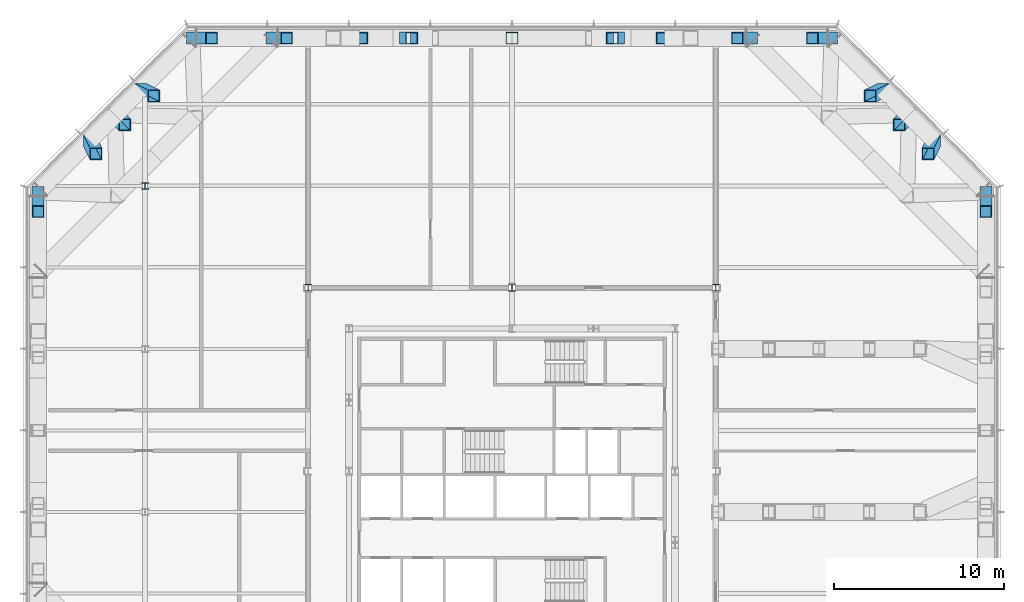
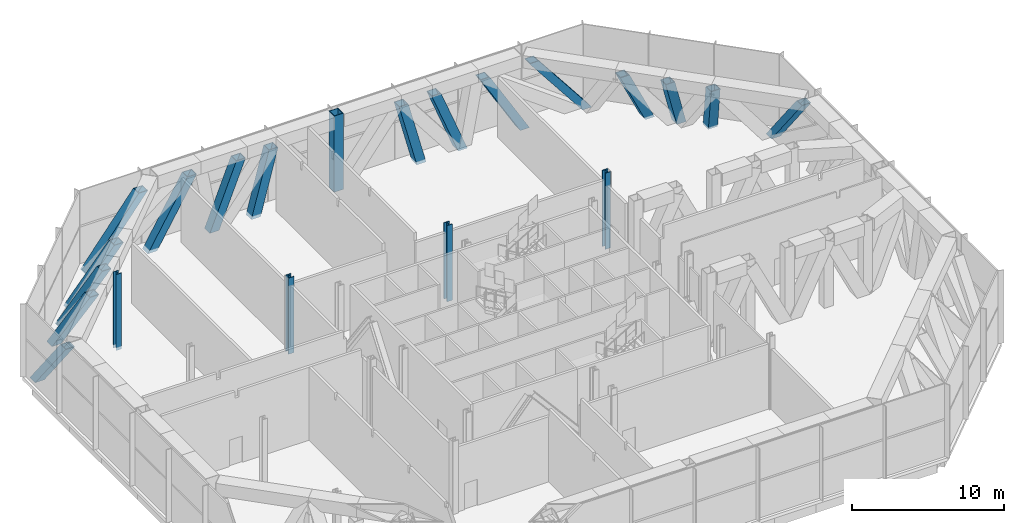
# One storey, part 2 of 17: 21 columns.
"""IFC4 building model written with IfcOpenShell, lengths in metres."""

from ifc_helpers import new_model, si_unit, direction, frame, origin, origin_2d, place, context, subcontext, project, spatial, hollow_rectangle, i_section, extrude, clip, halfspace, material, material_profile, profile_set, type_object, element, save


model = new_model("IFC4")

# Units and contexts
model_context = context("Model", 3, precision=1e-05, world=origin(), true_north=direction((0.0, 1.0)))
body_context = subcontext(model_context, "Body", "Model", "MODEL_VIEW")
ifc_project = project(units=[si_unit("LENGTHUNIT", "METRE"), si_unit("AREAUNIT", "SQUARE_METRE"), si_unit("VOLUMEUNIT", "CUBIC_METRE"), si_unit("PLANEANGLEUNIT", "RADIAN"), si_unit("MASSUNIT", "GRAM", prefix="KILO")], contexts=[model_context])

# Site, building, storey
site_placement = place(None, origin())
site = spatial("IfcSite", under=ifc_project, at=site_placement, CompositionType="ELEMENT")
building_placement = place(site_placement, origin())
building = spatial("IfcBuilding", under=site, at=building_placement, Name="Cairn Pilgrim Tower", CompositionType="ELEMENT")
storey_placement = place(building_placement, frame((0.0, 0.0, 119.39990234375)))
storey = spatial("IfcBuildingStorey", under=building, at=storey_placement, Name="L29", CompositionType="ELEMENT", Elevation=119.39990234375)

# Columns
ifc_material_1 = material(Name="Structural steel S460M", Category="steel")
ifc_material_profile_1 = material_profile(ifc_material_1, hollow_rectangle(XDim=0.699951171875, YDim=0.699951171875, WallThickness=0.0400390625, at=origin_2d()), Name="BOX 700x700x40")
ifc_profile_set_1 = profile_set([ifc_material_profile_1], Name="Structural steel S460M")
column_type_1 = type_object("IfcColumnType", Name="BOX 700x700x40 POST", PredefinedType="USERDEFINED", material=ifc_profile_set_1)
column_1_placement = place(storey_placement, frame((35.10009765625, 18.8271484375, -0.25), z_axis=(0.0, 0.0, 1.0), x_axis=(1.0, 0.0, 0.0)))
element("IfcColumn", 1, at=column_1_placement, inside=storey, type_object=column_type_1, Name="BT29-NE-P1", ObjectType="POST", PredefinedType="USERDEFINED", context=body_context, shape_type="Clipping", body=[
    clip(extrude(hollow_rectangle(XDim=0.699951171875, YDim=0.699951171875, WallThickness=0.0400390625, at=origin_2d()), origin(), (0.0, -0.618388132259, 0.785872838239), 7.76220703125), halfspace(frame((0.0, 0.0, 5.10009765625), z_axis=(0.0, 0.0, 1.0), x_axis=(1.0, 0.0, 0.0)), False)),
])
column_2_placement = place(storey_placement, frame((32.07568359375, 21.8515625, -0.25), z_axis=(0.0, 0.0, 1.0), x_axis=(1.0, 0.0, 0.0)))
element("IfcColumn", 2, at=column_2_placement, inside=storey, type_object=column_type_1, Name="BT29-NE-P2", ObjectType="POST", PredefinedType="USERDEFINED", context=body_context, shape_type="Clipping", body=[
    clip(extrude(hollow_rectangle(XDim=0.699951171875, YDim=0.699951171875, WallThickness=0.0400390625, at=origin_2d()), origin(), (-0.226262660054, -0.452490797273, 0.862587553266), 7.07177734375), halfspace(frame((0.0, 0.0, 5.10009765625), z_axis=(0.0, 0.0, 1.0), x_axis=(1.0, 0.0, 0.0)), False)),
])
column_3_placement = place(storey_placement, frame((30.563720703125, 23.363525390625, -0.25), z_axis=(0.0, 0.0, 1.0), x_axis=(1.0, 0.0, 0.0)))
element("IfcColumn", 3, at=column_3_placement, inside=storey, type_object=column_type_1, Name="BT29-NE-P3", ObjectType="POST", PredefinedType="USERDEFINED", context=body_context, shape_type="Clipping", body=[
    clip(extrude(hollow_rectangle(XDim=0.699951171875, YDim=0.699951171875, WallThickness=0.0400390625, at=origin_2d()), origin(), (-0.343821625237, -0.343786652027, 0.873840619282), 6.980712890625), halfspace(frame((0.0, 0.0, 5.10009765625), z_axis=(0.0, 0.0, 1.0), x_axis=(1.0, 0.0, 0.0)), False)),
])
column_4_placement = place(storey_placement, frame((29.051513671875, 24.875732421875, -0.25), z_axis=(0.0, 0.0, 1.0), x_axis=(1.0, 0.0, 0.0)))
element("IfcColumn", 4, at=column_4_placement, inside=storey, type_object=column_type_1, Name="BT29-NE-P4", ObjectType="POST", PredefinedType="USERDEFINED", context=body_context, shape_type="Clipping", body=[
    clip(extrude(hollow_rectangle(XDim=0.699951171875, YDim=0.699951171875, WallThickness=0.0400390625, at=origin_2d()), origin(), (-0.452490797273, -0.226262660054, 0.862587553266), 7.07177734375), halfspace(frame((0.0, 0.0, 5.10009765625), z_axis=(0.0, 0.0, 1.0), x_axis=(1.0, 0.0, 0.0)), False)),
])
column_5_placement = place(storey_placement, frame((26.027099609375, 27.89990234375, -0.25), z_axis=(0.0, 0.0, 1.0), x_axis=(1.0, 0.0, 0.0)))
element("IfcColumn", 5, at=column_5_placement, inside=storey, type_object=column_type_1, Name="BT29-N-P1", ObjectType="POST", PredefinedType="USERDEFINED", context=body_context, shape_type="Clipping", body=[
    clip(extrude(hollow_rectangle(XDim=0.699951171875, YDim=0.699951171875, WallThickness=0.0400390625, at=origin_2d()), origin(), (-0.618368706733, 0.0, 0.78588812342), 7.761962890625), halfspace(frame((0.0, 0.0, 5.10009765625), z_axis=(0.0, 0.0, 1.0), x_axis=(1.0, 0.0, 0.0)), False)),
])
column_6_placement = place(storey_placement, frame((21.3203125, 27.89990234375, -0.25), z_axis=(0.0, 0.0, 1.0), x_axis=(1.0, 0.0, 0.0)))
element("IfcColumn", 6, at=column_6_placement, inside=storey, type_object=column_type_1, Name="BT29-N-P2", ObjectType="POST", PredefinedType="USERDEFINED", context=body_context, shape_type="Clipping", body=[
    clip(extrude(hollow_rectangle(XDim=0.699951171875, YDim=0.699951171875, WallThickness=0.0400390625, at=origin_2d()), origin(), (-0.508232210999, 0.0, 0.861220076231), 7.0830078125), halfspace(frame((0.0, 0.0, 5.10009765625), z_axis=(0.0, 0.0, 1.0), x_axis=(1.0, 0.0, 0.0)), False)),
])
column_7_placement = place(storey_placement, frame((16.613525390625, 27.89990234375, -0.25), z_axis=(0.0, 0.0, 1.0), x_axis=(1.0, 0.0, 0.0)))
element("IfcColumn", 7, at=column_7_placement, inside=storey, type_object=column_type_1, Name="BT29-N-P3", ObjectType="POST", PredefinedType="USERDEFINED", context=body_context, shape_type="Clipping", body=[
    clip(extrude(hollow_rectangle(XDim=0.699951171875, YDim=0.699951171875, WallThickness=0.0400390625, at=origin_2d()), origin(), (-0.366106332628, 0.0, 0.930573024115), 6.55517578125), halfspace(frame((0.0, 0.0, 5.10009765625), z_axis=(0.0, 0.0, 1.0), x_axis=(1.0, 0.0, 0.0)), False)),
])
column_8_placement = place(storey_placement, frame((13.4755859375, 27.89990234375, -0.25), z_axis=(0.0, 0.0, 1.0), x_axis=(1.0, 0.0, 0.0)))
element("IfcColumn", 8, at=column_8_placement, inside=storey, type_object=column_type_1, Name="BT29-N-P4", ObjectType="POST", PredefinedType="USERDEFINED", context=body_context, shape_type="Clipping", body=[
    clip(extrude(hollow_rectangle(XDim=0.699951171875, YDim=0.699951171875, WallThickness=0.0400390625, at=origin_2d()), origin(), (-0.253687155326, 0.0, 0.967286321222), 6.306396484375), halfspace(frame((0.0, 0.0, 5.10009765625), z_axis=(0.0, 0.0, 1.0), x_axis=(1.0, 0.0, 0.0)), False)),
])
column_9_placement = place(storey_placement, frame((7.199951171875, 27.89990234375, -0.25), z_axis=(0.0, 0.0, 1.0), x_axis=(1.0, 0.0, 0.0)))
element("IfcColumn", 9, at=column_9_placement, inside=storey, type_object=column_type_1, Name="BT29-N-P5", ObjectType="POST", PredefinedType="USERDEFINED", context=body_context, shape_type="SweptSolid", body=[
    extrude(hollow_rectangle(XDim=0.699951171875, YDim=0.699951171875, WallThickness=0.0400390625, at=origin_2d()), origin(), (0.0, 0.0, 1.0), 6.10009765625),
])
column_10_placement = place(storey_placement, frame((0.92431640625, 27.89990234375, -0.25), z_axis=(0.0, 0.0, 1.0), x_axis=(1.0, 0.0, 0.0)))
element("IfcColumn", 10, at=column_10_placement, inside=storey, type_object=column_type_1, Name="BT29-N-P6", ObjectType="POST", PredefinedType="USERDEFINED", context=body_context, shape_type="Clipping", body=[
    clip(extrude(hollow_rectangle(XDim=0.699951171875, YDim=0.699951171875, WallThickness=0.0400390625, at=origin_2d()), origin(), (0.253723376456, 0.0, 0.967276820894), 6.306396484375), halfspace(frame((0.0, 0.0, 5.10009765625), z_axis=(0.0, 0.0, 1.0), x_axis=(1.0, 0.0, 0.0)), False)),
])
column_11_placement = place(storey_placement, frame((-2.213623046875, 27.89990234375, -0.25), z_axis=(0.0, 0.0, 1.0), x_axis=(1.0, 0.0, 0.0)))
element("IfcColumn", 11, at=column_11_placement, inside=storey, type_object=column_type_1, Name="BT29-N-P7", ObjectType="POST", PredefinedType="USERDEFINED", context=body_context, shape_type="Clipping", body=[
    clip(extrude(hollow_rectangle(XDim=0.699951171875, YDim=0.699951171875, WallThickness=0.0400390625, at=origin_2d()), origin(), (0.366106332628, 0.0, 0.930573024115), 6.55517578125), halfspace(frame((0.0, 0.0, 5.10009765625), z_axis=(0.0, 0.0, 1.0), x_axis=(1.0, 0.0, 0.0)), False)),
])
column_12_placement = place(storey_placement, frame((-6.92041015625, 27.89990234375, -0.25), z_axis=(0.0, 0.0, 1.0), x_axis=(1.0, 0.0, 0.0)))
element("IfcColumn", 12, at=column_12_placement, inside=storey, type_object=column_type_1, Name="BT29-N-P8", ObjectType="POST", PredefinedType="USERDEFINED", context=body_context, shape_type="Clipping", body=[
    clip(extrude(hollow_rectangle(XDim=0.699951171875, YDim=0.699951171875, WallThickness=0.0400390625, at=origin_2d()), origin(), (0.508257775322, 0.0, 0.861204989433), 7.083251953125), halfspace(frame((0.0, 0.0, 5.10009765625), z_axis=(0.0, 0.0, 1.0), x_axis=(1.0, 0.0, 0.0)), False)),
])
column_13_placement = place(storey_placement, frame((-11.627197265625, 27.89990234375, -0.25), z_axis=(0.0, 0.0, 1.0), x_axis=(1.0, 0.0, 0.0)))
element("IfcColumn", 13, at=column_13_placement, inside=storey, type_object=column_type_1, Name="BT29-NW-P1", ObjectType="POST", PredefinedType="USERDEFINED", context=body_context, shape_type="Clipping", body=[
    clip(extrude(hollow_rectangle(XDim=0.699951171875, YDim=0.699951171875, WallThickness=0.0400390625, at=origin_2d()), origin(), (0.618388132259, 0.0, 0.785872838239), 7.76220703125), halfspace(frame((0.0, 0.0, 5.10009765625), z_axis=(0.0, 0.0, 1.0), x_axis=(1.0, 0.0, 0.0)), False)),
])
column_14_placement = place(storey_placement, frame((-14.651611328125, 24.875732421875, -0.25), z_axis=(0.0, 0.0, 1.0), x_axis=(1.0, 0.0, 0.0)))
element("IfcColumn", 14, at=column_14_placement, inside=storey, type_object=column_type_1, Name="BT29-NW-P2", ObjectType="POST", PredefinedType="USERDEFINED", context=body_context, shape_type="Clipping", body=[
    clip(extrude(hollow_rectangle(XDim=0.699951171875, YDim=0.699951171875, WallThickness=0.0400390625, at=origin_2d()), origin(), (0.452518250986, -0.226259125493, 0.862574078359), 7.072021484375), halfspace(frame((0.0, 0.0, 5.10009765625), z_axis=(0.0, 0.0, 1.0), x_axis=(1.0, 0.0, 0.0)), False)),
])
column_15_placement = place(storey_placement, frame((-16.16357421875, 23.363525390625, -0.25), z_axis=(0.0, 0.0, 1.0), x_axis=(1.0, 0.0, 0.0)))
element("IfcColumn", 15, at=column_15_placement, inside=storey, type_object=column_type_1, Name="BT29-NW-P3", ObjectType="POST", PredefinedType="USERDEFINED", context=body_context, shape_type="Clipping", body=[
    clip(extrude(hollow_rectangle(XDim=0.699951171875, YDim=0.699951171875, WallThickness=0.0400390625, at=origin_2d()), origin(), (0.34379078577, -0.34379078577, 0.873851126474), 6.980712890625), halfspace(frame((0.0, 0.0, 5.10009765625), z_axis=(0.0, 0.0, 1.0), x_axis=(1.0, 0.0, 0.0)), False)),
])
column_16_placement = place(storey_placement, frame((-17.67578125, 21.8515625, -0.25), z_axis=(0.0, 0.0, 1.0), x_axis=(1.0, 0.0, 0.0)))
element("IfcColumn", 16, at=column_16_placement, inside=storey, type_object=column_type_1, Name="BT29-NW-P4", ObjectType="POST", PredefinedType="USERDEFINED", context=body_context, shape_type="Clipping", body=[
    clip(extrude(hollow_rectangle(XDim=0.699951171875, YDim=0.699951171875, WallThickness=0.0400390625, at=origin_2d()), origin(), (0.226262660054, -0.452490797273, 0.862587553266), 7.07177734375), halfspace(frame((0.0, 0.0, 5.10009765625), z_axis=(0.0, 0.0, 1.0), x_axis=(1.0, 0.0, 0.0)), False)),
])
column_17_placement = place(storey_placement, frame((-20.699951171875, 18.8271484375, -0.25), z_axis=(0.0, 0.0, 1.0), x_axis=(1.0, 0.0, 0.0)))
element("IfcColumn", 17, at=column_17_placement, inside=storey, type_object=column_type_1, Name="BT29-W-P1", ObjectType="POST", PredefinedType="USERDEFINED", context=body_context, shape_type="Clipping", body=[
    clip(extrude(hollow_rectangle(XDim=0.699951171875, YDim=0.699951171875, WallThickness=0.0400390625, at=origin_2d()), origin(), (0.0, -0.618388132259, 0.785872838239), 7.76220703125), halfspace(frame((0.0, 0.0, 5.10009765625), z_axis=(0.0, 0.0, 1.0), x_axis=(1.0, 0.0, 0.0)), False)),
])
ifc_material_2 = material(Name="Structural steel S355J2", Category="steel")
ifc_material_profile_2 = material_profile(ifc_material_2, i_section(OverallWidth=0.39892578125, OverallDepth=0.39306640625, WebThickness=0.022705078125, FlangeThickness=0.03662109375, FilletRadius=0.014892578125, at=origin_2d()), Name="HD 400x287")
ifc_profile_set_2 = profile_set([ifc_material_profile_2], Name="Structural steel S355J2")
column_type_2 = type_object("IfcColumnType", Name="HD 400x287", PredefinedType="COLUMN", material=ifc_profile_set_2)
column_18_placement = place(storey_placement, frame((-14.39990234375, 19.199951171875, -0.25), z_axis=(0.0, 0.0, 1.0), x_axis=(1.0, 0.0, 0.0)))
element("IfcColumn", 18, at=column_18_placement, inside=storey, type_object=column_type_2, Name="WC-WW+4", PredefinedType="COLUMN", context=body_context, shape_type="SweptSolid", body=[
    extrude(i_section(OverallWidth=0.39892578125, OverallDepth=0.39306640625, WebThickness=0.022705078125, FlangeThickness=0.03662109375, FilletRadius=0.014892578125, at=origin_2d()), origin(), (0.0, 0.0, 1.0), 6.10009765625),
])
ifc_material_profile_3 = material_profile(ifc_material_1, i_section(OverallWidth=0.408935546875, OverallDepth=0.425048828125, WebThickness=0.03271484375, FlangeThickness=0.052490234375, FilletRadius=0.014892578125, at=origin_2d()), Name="HD 400x421")
ifc_profile_set_3 = profile_set([ifc_material_profile_3], Name="Structural steel S460M")
column_type_3 = type_object("IfcColumnType", Name="HD 400x421", PredefinedType="COLUMN", material=ifc_profile_set_3)
for number, where, z_axis, x_axis, name in (
    (19, (-4.800048828125, 13.199951171875, -0.25), (0.0, 0.0, 1.0), (1.0, 0.0, 0.0), "IC-6"),
    (20, (7.199951171875, 13.199951171875, -0.25), (0.0, 0.0, 1.0), (1.0, 0.0, 0.0), "IC-7"),
    (21, (19.199951171875, 13.199951171875, -0.25), (0.0, 0.0, 1.0), (1.0, 0.0, 0.0), "IC-8"),
):
    element("IfcColumn", number, at=place(storey_placement, frame(where, z_axis=z_axis, x_axis=x_axis)), inside=storey, type_object=column_type_3, Name=name, PredefinedType="COLUMN", context=body_context, shape_type="SweptSolid", body=[
        extrude(i_section(OverallWidth=0.408935546875, OverallDepth=0.425048828125, WebThickness=0.03271484375, FlangeThickness=0.052490234375, FilletRadius=0.014892578125, at=origin_2d()), origin(), (0.0, 0.0, 1.0), 6.10009765625),
    ])

save(model, "model.ifc")
